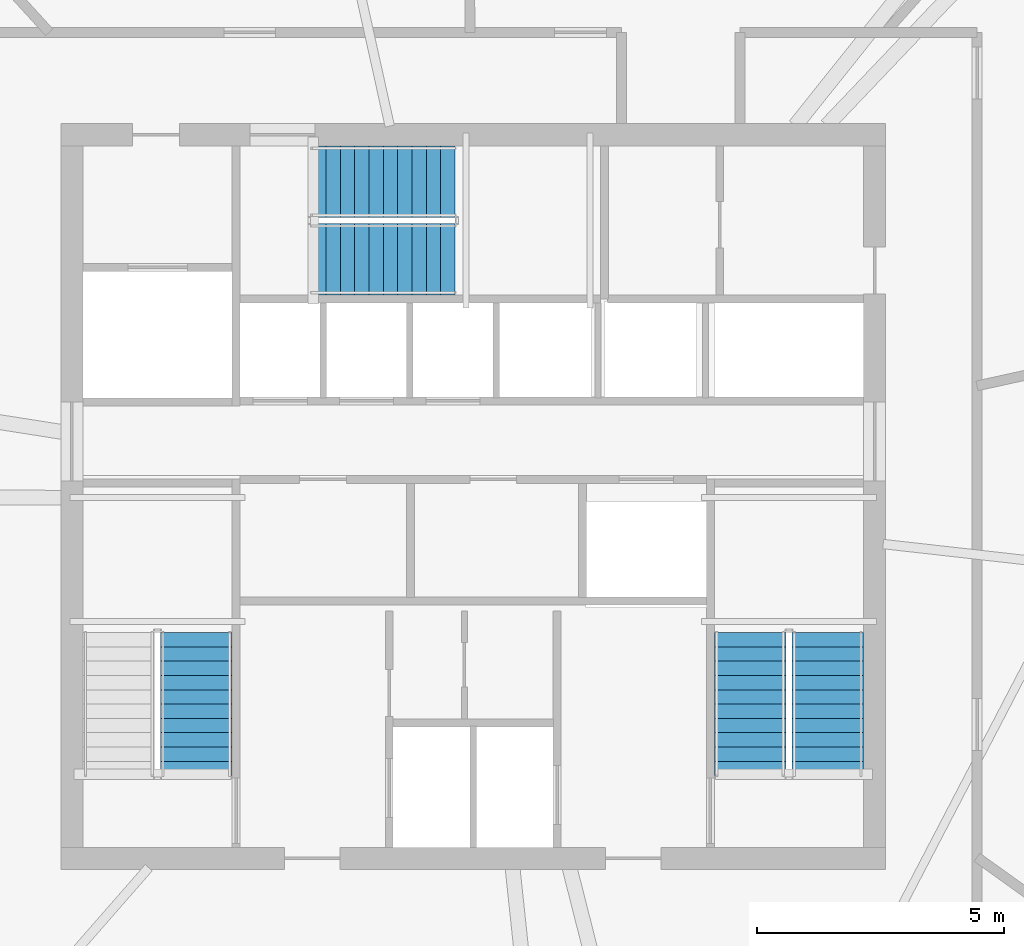
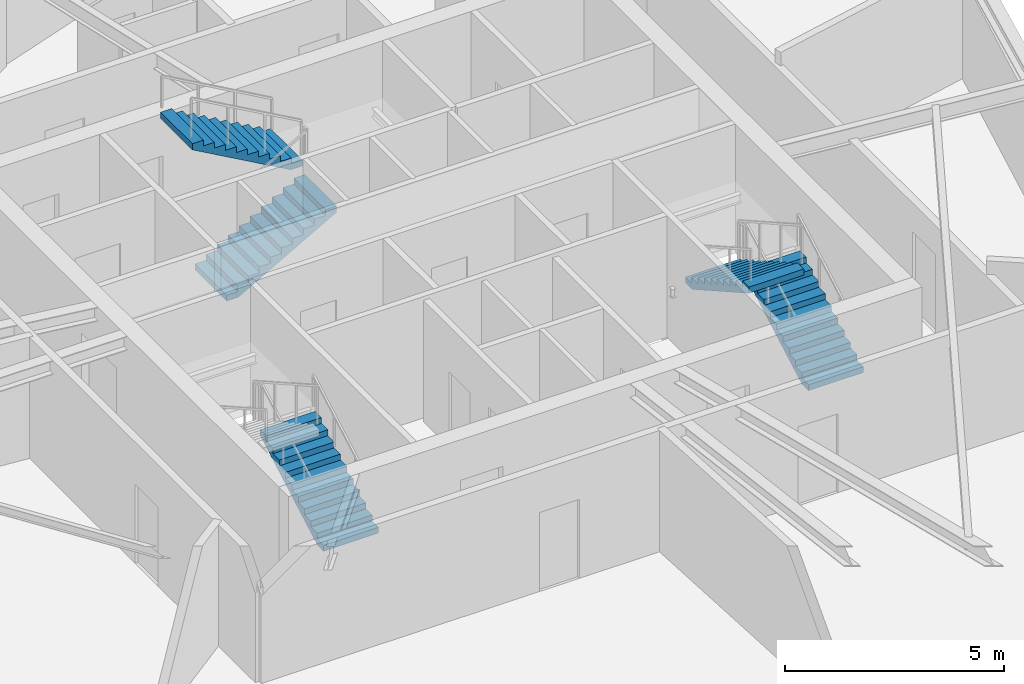
# One storey, part 11 of 14: 5 stair flights, 3 elements without a shape of their own.
"""IFC4 building model written with IfcOpenShell, lengths in metres."""

from ifc_helpers import new_model, si_unit, direction, frame, origin, place, context, subcontext, project, spatial, polyline, outline, extrude, material, type_object, element, aggregate, save


model = new_model("IFC4")

# Units and contexts
model_context = context("Model", 3, precision=1e-05, world=origin(), true_north=direction((0.0, 1.0)))
body_context = subcontext(model_context, "Body", "Model", "MODEL_VIEW")
ifc_project = project(units=[si_unit("LENGTHUNIT", "METRE"), si_unit("AREAUNIT", "SQUARE_METRE"), si_unit("VOLUMEUNIT", "CUBIC_METRE"), si_unit("PLANEANGLEUNIT", "RADIAN"), si_unit("MASSUNIT", "GRAM", prefix="KILO")], contexts=[model_context])

# Site, building, storey
site_placement = place(None, origin())
site = spatial("IfcSite", under=ifc_project, at=site_placement, CompositionType="ELEMENT")
building_placement = place(site_placement, origin())
building = spatial("IfcBuilding", under=site, at=building_placement, Name="Olszyna Solenne Hotel", CompositionType="ELEMENT")
storey_placement = place(building_placement, frame((0.0, 0.0, 230.89990234375)))
storey = spatial("IfcBuildingStorey", under=building, at=storey_placement, Name="L61", CompositionType="ELEMENT", Elevation=230.89990234375)

# Stair, stair flight
ifc_material = material(Name="Concrete C40/50", Category="concrete")
stair_type = type_object("IfcStairType", Name="STR-C1", PredefinedType="TWO_QUARTER_WINDING_STAIR", material=ifc_material)
stair_1_placement = place(storey_placement, origin())
stair_1 = element("IfcStair", 1, at=stair_1_placement, inside=storey, type_object=stair_type, Name="L61 ST1", PredefinedType="TWO_QUARTER_WINDING_STAIR")
stair_flight_type = type_object("IfcStairFlightType", Name="FLT-C1", PredefinedType="STRAIGHT", material=ifc_material)
stair_flight_1_placement = place(storey_placement, frame((32.39501953125, 20.949951171875, 0.0), z_axis=(0.0, 0.0, 1.0), x_axis=(0.0, 1.0, 0.0)))
stair_flight_1 = element("IfcStairFlight", 2, at=stair_flight_1_placement, type_object=stair_flight_type, Name="ST1 flight 1", NumberOfRisers=11, NumberOfTreads=10, PredefinedType="STRAIGHT", RiserHeight=0.163636364, TreadLength=0.29, context=body_context, shape_type="SweptSolid", body=[
    extrude(outline(polyline([(0.0, 0.0), (0.0, 0.16357421875), (0.2900390625, 0.16357421875), (0.2900390625, 0.327392578125), (0.580078125, 0.327392578125), (0.580078125, 0.490966796875), (0.8701171875, 0.490966796875), (0.8701171875, 0.654541015625), (1.159912109375, 0.654541015625), (1.159912109375, 0.818115234375), (1.449951171875, 0.818115234375), (1.449951171875, 0.98193359375), (1.739990234375, 0.98193359375), (1.739990234375, 1.1455078125), (2.030029296875, 1.1455078125), (2.030029296875, 1.30908203125), (2.320068359375, 1.30908203125), (2.320068359375, 1.47265625), (2.610107421875, 1.47265625), (2.610107421875, 1.636474609375), (2.89990234375, 1.636474609375), (2.89990234375, 1.800048828125), (2.89990234375, 1.46435546875), (0.304931640625, 0.0), (0.0, 0.0)])), frame((0.0, 0.72509765625, 0.0), z_axis=(0.0, -1.0, 0.0), x_axis=(1.0, 0.0, 0.0)), (0.0, 0.0, 1.0), 1.449951171875),
])
aggregate(stair_1, [stair_flight_1])

# Stair, stair flights
stair_2_placement = place(storey_placement, origin())
stair_2 = element("IfcStair", 3, at=stair_2_placement, inside=storey, type_object=stair_type, Name="L61 ST2", PredefinedType="TWO_QUARTER_WINDING_STAIR")
stair_flight_2_placement = place(storey_placement, frame((45.175048828125, 20.949951171875, 0.0), z_axis=(0.0, 0.0, 1.0), x_axis=(0.0, 1.0, 0.0)))
stair_flight_2 = element("IfcStairFlight", 4, at=stair_flight_2_placement, type_object=stair_flight_type, Name="ST2 flight 1", NumberOfRisers=11, NumberOfTreads=10, PredefinedType="STRAIGHT", RiserHeight=0.163636364, TreadLength=0.29, context=body_context, shape_type="SweptSolid", body=[
    extrude(outline(polyline([(0.0, 0.0), (0.0, 0.16357421875), (0.2900390625, 0.16357421875), (0.2900390625, 0.327392578125), (0.580078125, 0.327392578125), (0.580078125, 0.490966796875), (0.8701171875, 0.490966796875), (0.8701171875, 0.654541015625), (1.159912109375, 0.654541015625), (1.159912109375, 0.818115234375), (1.449951171875, 0.818115234375), (1.449951171875, 0.98193359375), (1.739990234375, 0.98193359375), (1.739990234375, 1.1455078125), (2.030029296875, 1.1455078125), (2.030029296875, 1.30908203125), (2.320068359375, 1.30908203125), (2.320068359375, 1.47265625), (2.610107421875, 1.47265625), (2.610107421875, 1.636474609375), (2.89990234375, 1.636474609375), (2.89990234375, 1.800048828125), (2.89990234375, 1.46435546875), (0.304931640625, 0.0), (0.0, 0.0)])), frame((0.0, 0.72509765625, 0.0), z_axis=(0.0, -1.0, 0.0), x_axis=(1.0, 0.0, 0.0)), (0.0, 0.0, 1.0), 1.449951171875),
])
stair_flight_3_placement = place(storey_placement, frame((43.60498046875, 23.85009765625, 1.800048828125), z_axis=(0.0, 0.0, 1.0), x_axis=(0.0, -1.0, 0.0)))
stair_flight_3 = element("IfcStairFlight", 5, at=stair_flight_3_placement, type_object=stair_flight_type, Name="ST2 flight 2", NumberOfRisers=11, NumberOfTreads=10, PredefinedType="STRAIGHT", RiserHeight=0.163636364, TreadLength=0.29, context=body_context, shape_type="SweptSolid", body=[
    extrude(outline(polyline([(0.0, 0.0), (0.0, 0.16357421875), (0.2900390625, 0.16357421875), (0.2900390625, 0.327392578125), (0.580078125, 0.327392578125), (0.580078125, 0.490966796875), (0.8701171875, 0.490966796875), (0.8701171875, 0.654541015625), (1.159912109375, 0.654541015625), (1.159912109375, 0.818115234375), (1.449951171875, 0.818115234375), (1.449951171875, 0.98193359375), (1.739990234375, 0.98193359375), (1.739990234375, 1.1455078125), (2.030029296875, 1.1455078125), (2.030029296875, 1.30908203125), (2.320068359375, 1.30908203125), (2.320068359375, 1.47265625), (2.610107421875, 1.47265625), (2.610107421875, 1.636474609375), (2.89990234375, 1.636474609375), (2.89990234375, 1.800048828125), (2.89990234375, 1.46435546875), (0.304931640625, 0.0), (0.0, 0.0)])), frame((0.0, 0.72509765625, 0.0), z_axis=(0.0, -1.0, 0.0), x_axis=(1.0, 0.0, 0.0)), (0.0, 0.0, 1.0), 1.449951171875),
])
aggregate(stair_2, [stair_flight_2, stair_flight_3])

stair_3_placement = place(storey_placement, origin())
stair_3 = element("IfcStair", 6, at=stair_3_placement, inside=storey, type_object=stair_type, Name="L61 ST3", PredefinedType="TWO_QUARTER_WINDING_STAIR")
stair_flight_4_placement = place(storey_placement, frame((34.72998046875, 31.405029296875, 0.0), z_axis=(0.0, 0.0, 1.0), x_axis=(1.0, 0.0, 0.0)))
stair_flight_4 = element("IfcStairFlight", 7, at=stair_flight_4_placement, type_object=stair_flight_type, Name="ST3 flight 1", NumberOfRisers=11, NumberOfTreads=10, PredefinedType="STRAIGHT", RiserHeight=0.163636364, TreadLength=0.29, context=body_context, shape_type="SweptSolid", body=[
    extrude(outline(polyline([(0.0, 0.0), (0.0, 0.16357421875), (0.2900390625, 0.16357421875), (0.2900390625, 0.327392578125), (0.580078125, 0.327392578125), (0.580078125, 0.490966796875), (0.8701171875, 0.490966796875), (0.8701171875, 0.654541015625), (1.159912109375, 0.654541015625), (1.159912109375, 0.818115234375), (1.449951171875, 0.818115234375), (1.449951171875, 0.98193359375), (1.739990234375, 0.98193359375), (1.739990234375, 1.1455078125), (2.030029296875, 1.1455078125), (2.030029296875, 1.30908203125), (2.320068359375, 1.30908203125), (2.320068359375, 1.47265625), (2.610107421875, 1.47265625), (2.610107421875, 1.636474609375), (2.89990234375, 1.636474609375), (2.89990234375, 1.800048828125), (2.89990234375, 1.46435546875), (0.304931640625, 0.0), (0.0, 0.0)])), frame((0.0, 0.72509765625, 0.0), z_axis=(0.0, -1.0, 0.0), x_axis=(1.0, 0.0, 0.0)), (0.0, 0.0, 1.0), 1.449951171875),
])
stair_flight_5_placement = place(storey_placement, frame((37.6298828125, 32.97509765625, 1.800048828125), z_axis=(0.0, 0.0, 1.0), x_axis=(-1.0, 0.0, 0.0)))
stair_flight_5 = element("IfcStairFlight", 8, at=stair_flight_5_placement, type_object=stair_flight_type, Name="ST3 flight 2", NumberOfRisers=11, NumberOfTreads=10, PredefinedType="STRAIGHT", RiserHeight=0.163636364, TreadLength=0.29, context=body_context, shape_type="SweptSolid", body=[
    extrude(outline(polyline([(0.0, 0.0), (0.0, 0.16357421875), (0.2900390625, 0.16357421875), (0.2900390625, 0.327392578125), (0.580078125, 0.327392578125), (0.580078125, 0.490966796875), (0.8701171875, 0.490966796875), (0.8701171875, 0.654541015625), (1.159912109375, 0.654541015625), (1.159912109375, 0.818115234375), (1.449951171875, 0.818115234375), (1.449951171875, 0.98193359375), (1.739990234375, 0.98193359375), (1.739990234375, 1.1455078125), (2.030029296875, 1.1455078125), (2.030029296875, 1.30908203125), (2.320068359375, 1.30908203125), (2.320068359375, 1.47265625), (2.610107421875, 1.47265625), (2.610107421875, 1.636474609375), (2.89990234375, 1.636474609375), (2.89990234375, 1.800048828125), (2.89990234375, 1.46435546875), (0.304931640625, 0.0), (0.0, 0.0)])), frame((0.0, 0.72509765625, 0.0), z_axis=(0.0, -1.0, 0.0), x_axis=(1.0, 0.0, 0.0)), (0.0, 0.0, 1.0), 1.449951171875),
])
aggregate(stair_3, [stair_flight_4, stair_flight_5])

save(model, "model.ifc")
